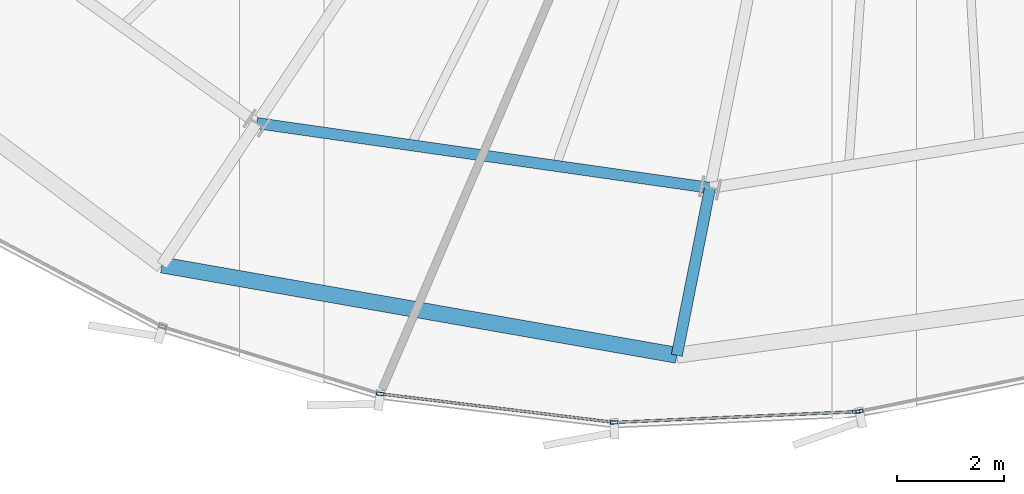
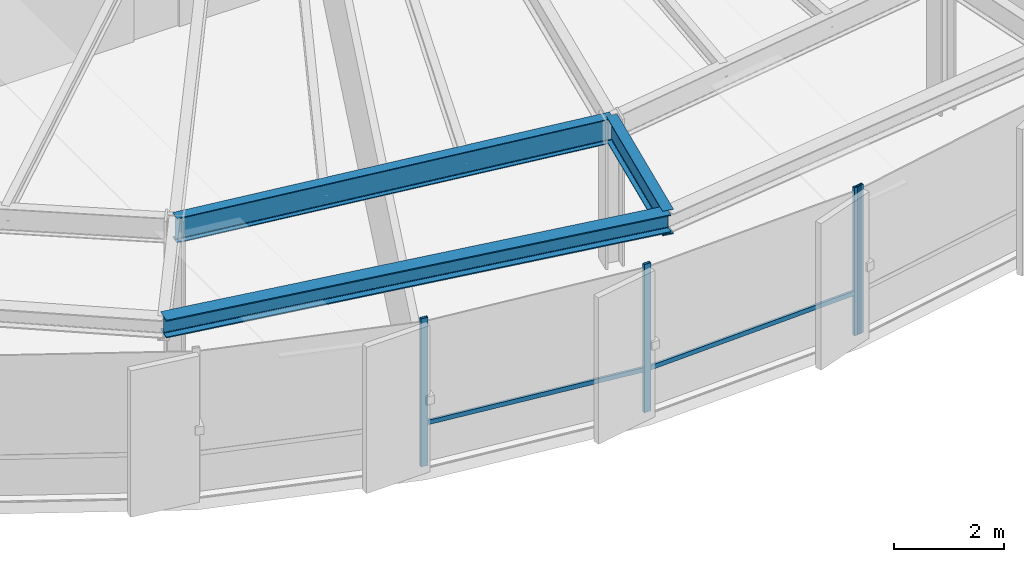
# One storey, part 6 of 36: 6 members, 3 beams, 2 elements without a shape of their own.
"""IFC4 building model written with IfcOpenShell, lengths in metres."""

import ifcopenshell
import ifcopenshell.guid

model = None  # the IFC model being written
_history = None  # IfcOwnerHistory: only IFC2X3 demands one
_inside = {}  # id of a spatial element -> (the spatial element, [elements in it])
_under = {}  # id of a project, library or spatial element -> (it, [spatial elements below it])
_declared = {}  # id of a project -> (the project, [libraries it declares])
_typed = {}  # id of a type object -> (the type object, [elements of that type])
_made_of = {}  # id of a material, layer set ... -> (it, [elements and type objects made of it])


def new_model(schema):
    """Start an empty IFC model of exactly this schema.

    Asked for "IFC4X3", IfcOpenShell would pick the latest addendum, in which some entities
    have other attributes; the version numbers below select the first issue.
    IFC2X3 requires an IfcOwnerHistory on every rooted entity: one is made here for all.
    """
    global model, _history
    if schema == "IFC4X3":
        model = ifcopenshell.file(schema_version=(4, 3, 0, 0))
    else:
        model = ifcopenshell.file(schema=schema)
    _inside.clear()
    _under.clear()
    _declared.clear()
    _typed.clear()
    _made_of.clear()
    _history = None
    if model.schema == "IFC2X3":
        org = make("IfcOrganization", Name="unknown")
        user = make(
            "IfcPersonAndOrganization",
            ThePerson=make("IfcPerson", FamilyName="unknown"),
            TheOrganization=org,
        )
        app = make(
            "IfcApplication",
            ApplicationDeveloper=org,
            Version="unknown",
            ApplicationFullName="unknown",
            ApplicationIdentifier="unknown",
        )
        _history = make(
            "IfcOwnerHistory",
            OwningUser=user,
            OwningApplication=app,
            ChangeAction="ADDED",
            CreationDate=0,
        )
    return model


def make(cls, **values):
    """One entity of the class cls with the attributes given. An attribute that is None is left unset."""
    return model.create_entity(
        cls, **{name: value for name, value in values.items() if value is not None}
    )


def rooted(cls, **values):
    """An entity with a GlobalId (a new one), such as an element, a storey or a relation."""
    return make(cls, GlobalId=ifcopenshell.guid.new(), OwnerHistory=_history, **values)


def si_unit(unit_type, name, prefix=None):
    """IfcSIUnit, for example si_unit("LENGTHUNIT", "METRE", prefix="MILLI")."""
    return make("IfcSIUnit", UnitType=unit_type, Prefix=prefix, Name=name)


def assignment(units):
    """IfcUnitAssignment: the units of a project."""
    return None if units is None else make("IfcUnitAssignment", Units=units)


def point(xyz):
    """IfcCartesianPoint."""
    return None if xyz is None else make("IfcCartesianPoint", Coordinates=xyz)


def direction(xyz):
    """IfcDirection."""
    return None if xyz is None else make("IfcDirection", DirectionRatios=xyz)


def frame(location, z_axis=None, x_axis=None):
    """IfcAxis2Placement3D, a coordinate frame: its origin and axes. An axis left out is left unset."""
    return make(
        "IfcAxis2Placement3D",
        Location=point(location),
        Axis=direction(z_axis),
        RefDirection=direction(x_axis),
    )


def frame_2d(location, x_axis=None):
    """IfcAxis2Placement2D, a coordinate frame in the plane: its origin and x axis."""
    return make(
        "IfcAxis2Placement2D", Location=point(location), RefDirection=direction(x_axis)
    )


def origin():
    """The frame at (0, 0, 0) with its axes left unset."""
    return frame((0.0, 0.0, 0.0))


def origin_2d():
    """The frame at (0, 0) in the plane with its x axis left unset."""
    return frame_2d((0.0, 0.0))


def place(relative_to, where):
    """IfcLocalPlacement: puts the frame where relative to a parent placement (None: the world)."""
    return make(
        "IfcLocalPlacement", PlacementRelTo=relative_to, RelativePlacement=where
    )


def context(
    kind, dimensions, precision=None, world=None, true_north=None, identifier=None
):
    """IfcGeometricRepresentationContext, for example the 3D "Model" context."""
    return make(
        "IfcGeometricRepresentationContext",
        ContextIdentifier=identifier,
        ContextType=kind,
        CoordinateSpaceDimension=dimensions,
        Precision=precision,
        WorldCoordinateSystem=world,
        TrueNorth=true_north,
    )


def subcontext(parent, identifier, kind, view, scale=None):
    """IfcGeometricRepresentationSubContext, for example "Body" below "Model"."""
    return make(
        "IfcGeometricRepresentationSubContext",
        ContextIdentifier=identifier,
        ContextType=kind,
        ParentContext=parent,
        TargetScale=scale,
        TargetView=view,
    )


def project(units=None, contexts=None):
    """IfcProject with its units and contexts."""
    return rooted(
        "IfcProject",
        Name="project",
        RepresentationContexts=contexts,
        UnitsInContext=assignment(units),
    )


def spatial(cls, under=None, at=None, **own):
    """A site, building, storey or space (cls), placed at a placement, below another one or the project."""
    s = rooted(cls, ObjectPlacement=at, **own)
    if under is not None:
        _under.setdefault(under.id(), (under, []))[1].append(s)
    return s


def profile(cls, at=None, kind="AREA", **sizes):
    """A parametric profile (cls). Its sizes go by their IFC names, for example OverallWidth=200.0."""
    return make(cls, ProfileType=kind, Position=at, **sizes)


def hollow_rectangle(**sizes):
    """IfcRectangleHollowProfileDef."""
    return profile("IfcRectangleHollowProfileDef", **sizes)


def i_section(**sizes):
    """IfcIShapeProfileDef."""
    return profile("IfcIShapeProfileDef", **sizes)


def extrude(swept, where, along, depth):
    """IfcExtrudedAreaSolid: the profile swept, set in the frame where, extruded along a direction by depth."""
    return make(
        "IfcExtrudedAreaSolid",
        SweptArea=swept,
        Position=where,
        ExtrudedDirection=direction(along),
        Depth=depth,
    )


def shape(context_of_items, identifier, shape_type, items):
    """IfcShapeRepresentation: the items that make up one representation, for example the "Body"."""
    return make(
        "IfcShapeRepresentation",
        ContextOfItems=context_of_items,
        RepresentationIdentifier=identifier,
        RepresentationType=shape_type,
        Items=items,
    )


def source(mapping_origin, context_of_items, identifier, shape_type, items):
    """IfcRepresentationMap: a shape defined once, which mapped items show again and again."""
    return make(
        "IfcRepresentationMap",
        MappingOrigin=mapping_origin,
        MappedRepresentation=shape(context_of_items, identifier, shape_type, items),
    )


def transform(
    local_origin,
    x_axis=None,
    y_axis=None,
    z_axis=None,
    scale=None,
    scale2=None,
    scale3=None,
    uniform=True,
):
    """IfcCartesianTransformationOperator3D, or its non-uniform kind. x_axis, y_axis, z_axis: its Axis1, 2, 3."""
    if uniform:
        return make(
            "IfcCartesianTransformationOperator3D",
            Axis1=direction(x_axis),
            Axis2=direction(y_axis),
            LocalOrigin=point(local_origin),
            Scale=scale,
            Axis3=direction(z_axis),
        )
    return make(
        "IfcCartesianTransformationOperator3DnonUniform",
        Axis1=direction(x_axis),
        Axis2=direction(y_axis),
        LocalOrigin=point(local_origin),
        Scale=scale,
        Axis3=direction(z_axis),
        Scale2=scale2,
        Scale3=scale3,
    )


def mapped(mapping_source, mapping_target):
    """IfcMappedItem: shows the shape of a source again, moved by a transform."""
    return make(
        "IfcMappedItem", MappingSource=mapping_source, MappingTarget=mapping_target
    )


def material(Name=None, Category=None):
    """IfcMaterial."""
    return make("IfcMaterial", Name=Name, Category=Category)


def layer(
    of_material, thickness, ventilated=None, Name=None, Category=None, Priority=None
):
    """IfcMaterialLayer: one layer of a wall or slab, of a material (None: an air gap)."""
    return make(
        "IfcMaterialLayer",
        Material=of_material,
        LayerThickness=thickness,
        IsVentilated=ventilated,
        Name=Name,
        Category=Category,
        Priority=Priority,
    )


def layer_set(layers, Name=None):
    """IfcMaterialLayerSet."""
    return make("IfcMaterialLayerSet", MaterialLayers=layers, LayerSetName=Name)


def material_profile(
    of_material, cross_section, Name=None, Category=None, Priority=None
):
    """IfcMaterialProfile: a cross section and its material."""
    return make(
        "IfcMaterialProfile",
        Name=Name,
        Material=of_material,
        Profile=cross_section,
        Priority=Priority,
        Category=Category,
    )


def profile_set(profiles, Name=None, composite=None):
    """IfcMaterialProfileSet."""
    return make(
        "IfcMaterialProfileSet",
        Name=Name,
        MaterialProfiles=profiles,
        CompositeProfile=composite,
    )


def made_of(thing, what):
    """Note that an element or type object is made of a material, layer set ...; save() writes the relation."""
    if what is not None:
        _made_of.setdefault(what.id(), (what, []))[1].append(thing)
    return thing


def type_object(cls, material=None, **own):
    """A type object (cls), such as IfcWallType, which elements share."""
    return made_of(rooted(cls, **own), material)


def element(
    cls,
    number,
    at=None,
    inside=None,
    cuts=None,
    type_object=None,
    material=None,
    context=None,
    identifier="Body",
    shape_type=None,
    held_by="IfcProductDefinitionShape",
    body=None,
    shapes=None,
    **own,
):
    """One element of the class cls, such as IfcWall. Its Tag is "e" and its number.

    at: its placement. inside: the storey or other place that contains it. cuts: it is an
    opening in that element (IfcRelVoidsElement). A single representation is given by context,
    identifier, shape_type and body (its items); several are given by shapes. held_by: the class
    of the entity that holds the representations. save() writes the other relations.
    """
    e = rooted(cls, Tag="e%d" % number, ObjectPlacement=at, **own)
    if body is not None:
        shapes = [shape(context, identifier, shape_type, body)]
    if shapes is not None:
        e.Representation = make(held_by, Representations=shapes)
    if inside is not None:
        _inside.setdefault(inside.id(), (inside, []))[1].append(e)
    if cuts is not None:
        rooted(
            "IfcRelVoidsElement", RelatingBuildingElement=cuts, RelatedOpeningElement=e
        )
    if type_object is not None:
        _typed.setdefault(type_object.id(), (type_object, []))[1].append(e)
    return made_of(e, material)


def aggregate(whole, parts):
    """IfcRelAggregates: a whole, such as a stair, and the parts it consists of."""
    return rooted("IfcRelAggregates", RelatingObject=whole, RelatedObjects=parts)


def save(model, path):
    """Write the relations noted so far, then the file.

    IfcRelAggregates (storeys below a building ...), IfcRelContainedInSpatialStructure (elements
    in a storey), IfcRelDefinesByType, IfcRelAssociatesMaterial and IfcRelDeclares: one each for
    every whole, place, type object, material and project.
    """
    for whole, parts in _under.values():
        aggregate(whole, parts)
    for where, things in _inside.values():
        rooted(
            "IfcRelContainedInSpatialStructure",
            RelatedElements=things,
            RelatingStructure=where,
        )
    for kind, things in _typed.values():
        rooted("IfcRelDefinesByType", RelatedObjects=things, RelatingType=kind)
    for what, things in _made_of.values():
        rooted("IfcRelAssociatesMaterial", RelatedObjects=things, RelatingMaterial=what)
    for by, libraries in _declared.values():
        rooted("IfcRelDeclares", RelatingContext=by, RelatedDefinitions=libraries)
    model.write(path)


model = new_model("IFC4")

# Units and contexts
model_context = context("Model", 3, precision=1e-05, world=origin(), true_north=direction((0.0, 1.0)))
body_context = subcontext(model_context, "Body", "Model", "MODEL_VIEW")
ifc_project = project(units=[si_unit("LENGTHUNIT", "METRE"), si_unit("AREAUNIT", "SQUARE_METRE"), si_unit("VOLUMEUNIT", "CUBIC_METRE"), si_unit("PLANEANGLEUNIT", "RADIAN"), si_unit("MASSUNIT", "GRAM", prefix="KILO"), si_unit("THERMODYNAMICTEMPERATUREUNIT", "KELVIN")], contexts=[model_context])

# Site, building, storey
site_placement = place(None, origin())
site = spatial("IfcSite", under=ifc_project, at=site_placement, CompositionType="ELEMENT")
building_placement = place(site_placement, origin())
building = spatial("IfcBuilding", under=site, at=building_placement, Name="Kethvar Cultural Tower", CompositionType="ELEMENT")
storey_placement = place(building_placement, frame((0.0, 0.0, 164.300048828125)))
storey = spatial("IfcBuildingStorey", under=building, at=storey_placement, Name="L42", CompositionType="ELEMENT", Elevation=164.300048828125)

# Beams
ifc_material_1 = material(Name="Steel S355J2", Category="steel")
ifc_material_profile_1 = material_profile(ifc_material_1, i_section(OverallWidth=0.2099609375, OverallDepth=0.550048828125, WebThickness=0.010986328125, FlangeThickness=0.01708984375, FilletRadius=0.02392578125, at=origin_2d()), Name="Steel S355J2 — IPE550")
ifc_profile_set_1 = profile_set([ifc_material_profile_1], Name="Steel S355J2 — IPE550")
beam_type_1 = type_object("IfcBeamType", Name="BM-IPE550", PredefinedType="BEAM", material=ifc_profile_set_1)
shared_shape_1 = source(origin(), body_context, "Body", "SweptSolid", [
    extrude(i_section(OverallWidth=0.2099609375, OverallDepth=0.550048828125, WebThickness=0.010986328125, FlangeThickness=0.01708984375, FilletRadius=0.02392578125, at=origin_2d()), origin(), (0.0, 0.0, 1.0), 3.2001953125),
])
beam_1_placement = place(storey_placement, frame((42.852294921875, 7.95361328125, 3.02294921875), z_axis=(-0.195074368086, -0.980788453702, 0.0), x_axis=(0.980788453702, -0.195074368086, 0.0)))
element("IfcBeam", 1, at=beam_1_placement, inside=storey, type_object=beam_type_1, Name="L42 Perimeter Cantilever Beam RC-12", PredefinedType="BEAM", context=body_context, shape_type="MappedRepresentation", body=[
    mapped(shared_shape_1, transform((0.0, 0.0, 0.0), scale=1.0)),
])
shared_shape_2 = source(origin(), body_context, "Body", "SweptSolid", [
    extrude(i_section(OverallWidth=0.2099609375, OverallDepth=0.550048828125, WebThickness=0.010986328125, FlangeThickness=0.01708984375, FilletRadius=0.02392578125, at=origin_2d()), origin(), (0.0, 0.0, 1.0), 8.587890625),
])
beam_2_placement = place(storey_placement, frame((34.350830078125, 9.16845703125, 3.02294921875), z_axis=(0.989943807123, -0.141461156288, 0.0), x_axis=(0.141461156288, 0.989943807123, 0.0)))
element("IfcBeam", 2, at=beam_2_placement, inside=storey, type_object=beam_type_1, Name="L42 Column Ring Tie Beam CR-11", PredefinedType="BEAM", context=body_context, shape_type="MappedRepresentation", body=[
    mapped(shared_shape_2, transform((0.0, 0.0, 0.0), scale=1.0)),
])
ifc_material_profile_2 = material_profile(ifc_material_1, i_section(OverallWidth=0.300048828125, OverallDepth=0.39990234375, WebThickness=0.013427734375, FlangeThickness=0.02392578125, FilletRadius=0.027099609375, at=origin_2d()), Name="Steel S355J2 — HEB400")
ifc_profile_set_2 = profile_set([ifc_material_profile_2], Name="Steel S355J2 — HEB400")
beam_type_2 = type_object("IfcBeamType", Name="BM-SP400", PredefinedType="SPANDREL", material=ifc_profile_set_2)
shared_shape_3 = source(origin(), body_context, "Body", "SweptSolid", [
    extrude(i_section(OverallWidth=0.300048828125, OverallDepth=0.39990234375, WebThickness=0.013427734375, FlangeThickness=0.02392578125, FilletRadius=0.027099609375, at=origin_2d()), origin(), (0.0, 0.0, 1.0), 9.80224609375),
])
beam_3_placement = place(storey_placement, frame((32.572998046875, 6.5078125, 3.097900390625), z_axis=(0.984974273513, -0.172701130618, 0.0), x_axis=(0.172701130618, 0.984974273513, 0.0)))
element("IfcBeam", 3, at=beam_3_placement, inside=storey, type_object=beam_type_2, Name="L42 Perimeter Spandrel Beam SP-11", PredefinedType="SPANDREL", context=body_context, shape_type="MappedRepresentation", body=[
    mapped(shared_shape_3, transform((0.0, 0.0, 0.0), scale=1.0)),
])

# Curtain wall, members
ifc_material_2 = material(Name="Aluminium 6063-T6", Category="aluminium")
ifc_layer = layer(ifc_material_2, 0.179931640625, Name="Aluminium 6063-T6", Category="aluminium")
ifc_layer_set = layer_set([ifc_layer], Name="Aluminium 6063-T6 (180 mm)")
curtain_wall_type = type_object("IfcCurtainWallType", Name="CW-SYS-04-Z34", PredefinedType="NOTDEFINED", material=ifc_layer_set)
curtain_wall_1_placement = place(storey_placement, origin())
curtain_wall_1 = element("IfcCurtainWall", 4, at=curtain_wall_1_placement, inside=storey, type_object=curtain_wall_type, Name="L42 Curtain Wall Run 04", PredefinedType="NOTDEFINED")
ifc_material_profile_3 = material_profile(ifc_material_2, hollow_rectangle(XDim=0.06005859375, YDim=0.139892578125, WallThickness=0.0048828125, at=origin_2d()), Name="Aluminium 6063-T6 — RHS140x60x5")
ifc_profile_set_3 = profile_set([ifc_material_profile_3], Name="Aluminium 6063-T6 — RHS140x60x5")
member_type_1 = type_object("IfcMemberType", Name="CW-SYS-04-Z34-MUL", PredefinedType="MULLION", material=ifc_profile_set_3)
shared_shape_4 = source(origin(), body_context, "Body", "SweptSolid", [
    extrude(hollow_rectangle(XDim=0.06005859375, YDim=0.139892578125, WallThickness=0.0048828125, at=origin_2d()), origin(), (0.0, 0.0, 1.0), 3.300048828125),
])
member_1_placement = place(storey_placement, frame((36.665283203125, 4.09130859375, 0.0), z_axis=(0.0, 0.0, 1.0), x_axis=(0.120916511494, 0.992662680495, 0.0)))
member_1 = element("IfcMember", 5, at=member_1_placement, type_object=member_type_1, Name="CW-L42-R04 Mullion 5", PredefinedType="MULLION", context=body_context, shape_type="MappedRepresentation", body=[
    mapped(shared_shape_4, transform((0.0, 0.0, 0.0), scale=1.0)),
])
member_2_placement = place(storey_placement, frame((41.052490234375, 3.555419921875, 0.0), z_axis=(0.0, 0.0, 1.0), x_axis=(-0.044386588385, 0.999014429711, 0.0)))
member_2 = element("IfcMember", 6, at=member_2_placement, type_object=member_type_1, Name="CW-L42-R04 Mullion 6", PredefinedType="MULLION", context=body_context, shape_type="MappedRepresentation", body=[
    mapped(shared_shape_4, transform((0.0, 0.0, 0.0), scale=1.0)),
])
member_3_placement = place(storey_placement, frame((45.593505859375, 3.757080078125, 0.0), z_axis=(0.0, 0.0, 1.0), x_axis=(-0.044386588385, 0.999014429711, 0.0)))
member_3 = element("IfcMember", 7, at=member_3_placement, type_object=member_type_1, Name="CW-L42-R04 Mullion 7", PredefinedType="MULLION", context=body_context, shape_type="MappedRepresentation", body=[
    mapped(shared_shape_4, transform((0.0, 0.0, 0.0), scale=1.0)),
])

# Curtain wall, member
curtain_wall_2_placement = place(storey_placement, origin())
curtain_wall_2 = element("IfcCurtainWall", 8, at=curtain_wall_2_placement, inside=storey, type_object=curtain_wall_type, Name="L42 Curtain Wall Run 05", PredefinedType="NOTDEFINED")
member_4_placement = place(storey_placement, frame((45.653564453125, 3.7646484375, 0.0), z_axis=(0.0, 0.0, 1.0), x_axis=(-0.199008759871, 0.979997710964, 0.0)))
member_4 = element("IfcMember", 9, at=member_4_placement, type_object=member_type_1, Name="CW-L42-R05 Mullion 1", PredefinedType="MULLION", context=body_context, shape_type="MappedRepresentation", body=[
    mapped(shared_shape_4, transform((0.0, 0.0, 0.0), scale=1.0)),
])
aggregate(curtain_wall_2, [member_4])

# Member
ifc_material_profile_4 = material_profile(ifc_material_2, hollow_rectangle(XDim=0.050048828125, YDim=0.10009765625, WallThickness=0.00390625, at=origin_2d()), Name="Aluminium 6063-T6 — RHS100x50x4")
ifc_profile_set_4 = profile_set([ifc_material_profile_4], Name="Aluminium 6063-T6 — RHS100x50x4")
member_type_2 = type_object("IfcMemberType", Name="CW-SYS-04-Z34-TRN", PredefinedType="USERDEFINED", material=ifc_profile_set_4)
shared_shape_5 = source(origin(), body_context, "Body", "SweptSolid", [
    extrude(hollow_rectangle(XDim=0.050048828125, YDim=0.10009765625, WallThickness=0.00390625, at=origin_2d()), origin(), (0.0, 0.0, 1.0), 4.498046875),
])
member_5_placement = place(storey_placement, frame((41.095703125, 3.557373046875, 0.949951171875), z_axis=(0.999013913465, 0.044398206086, 0.0), x_axis=(-0.044398206086, 0.999013913465, 0.0)))
member_5 = element("IfcMember", 10, at=member_5_placement, type_object=member_type_2, Name="CW-L42-R04 Transom 6", ObjectType="TRANSOM", PredefinedType="USERDEFINED", context=body_context, shape_type="MappedRepresentation", body=[
    mapped(shared_shape_5, transform((0.0, 0.0, 0.0), scale=1.0)),
])

shared_shape_6 = source(origin(), body_context, "Body", "SweptSolid", [
    extrude(hollow_rectangle(XDim=0.050048828125, YDim=0.10009765625, WallThickness=0.00390625, at=origin_2d()), origin(), (0.0, 0.0, 1.0), 4.3515625),
])
member_6_placement = place(storey_placement, frame((36.708251953125, 4.086181640625, 0.949951171875), z_axis=(0.992657219063, -0.120961338625, 0.0), x_axis=(0.120961338625, 0.992657219063, 0.0)))
member_6 = element("IfcMember", 11, at=member_6_placement, type_object=member_type_2, Name="CW-L42-R04 Transom 5", ObjectType="TRANSOM", PredefinedType="USERDEFINED", context=body_context, shape_type="MappedRepresentation", body=[
    mapped(shared_shape_6, transform((0.0, 0.0, 0.0), scale=1.0)),
])

aggregate(curtain_wall_1, [member_1, member_2, member_3, member_6, member_5])

save(model, "model.ifc")
